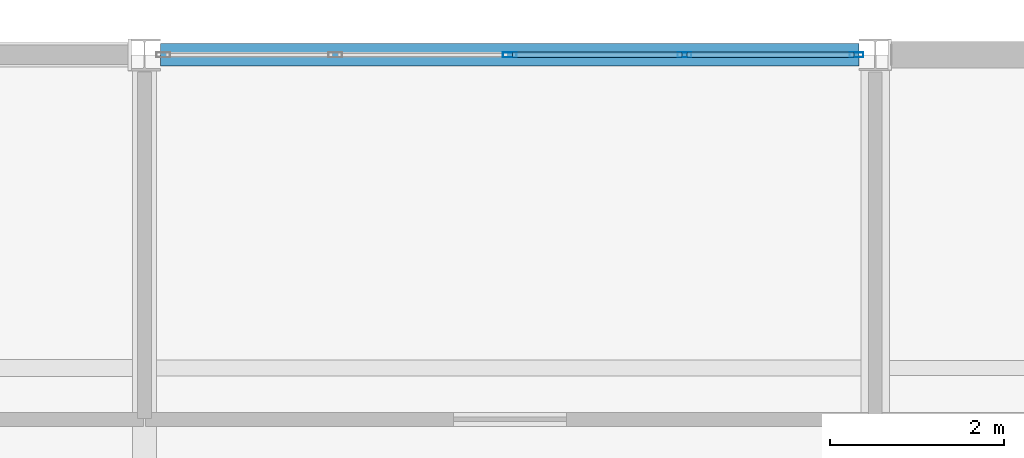
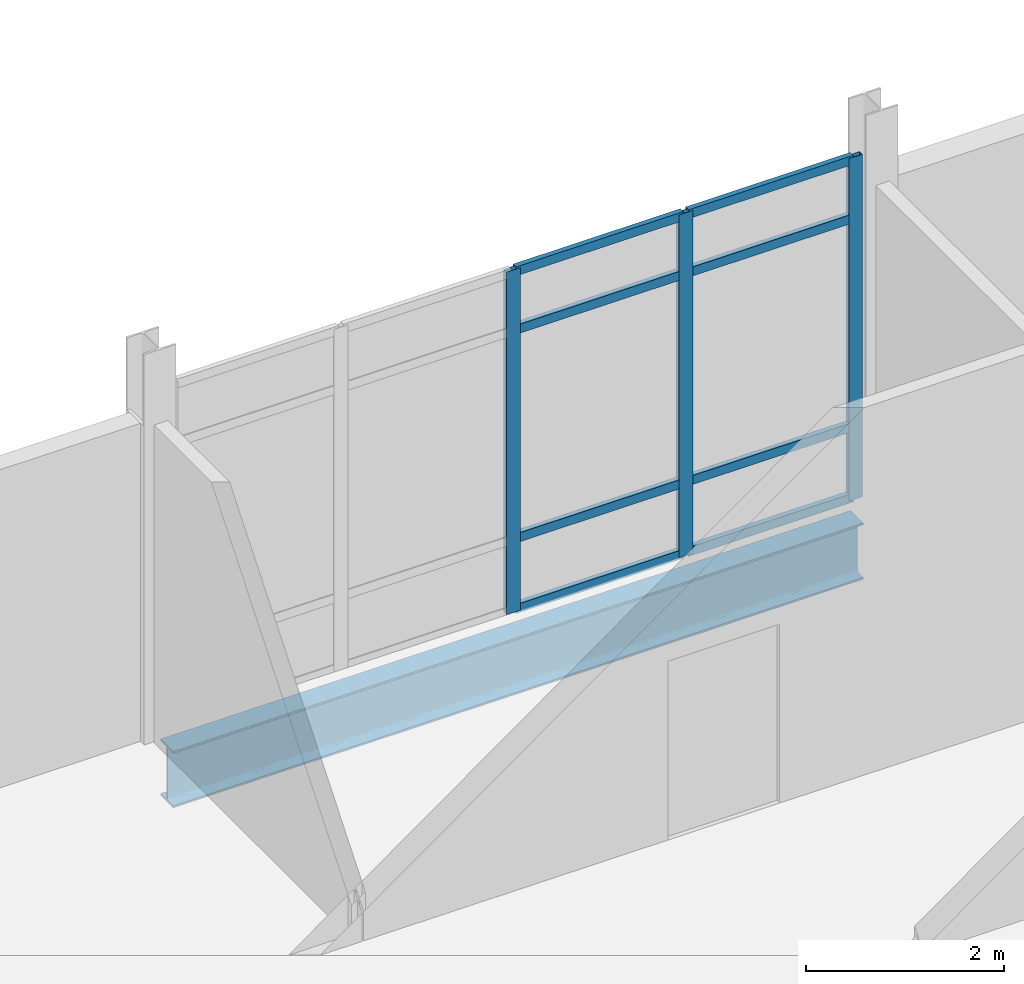
# One storey, part 87 of 186: 11 members, 1 beam, 1 element without a shape of its own.
"""IFC4 building model written with IfcOpenShell, lengths in metres."""

import ifcopenshell
import ifcopenshell.guid

model = None  # the IFC model being written
_history = None  # IfcOwnerHistory: only IFC2X3 demands one
_inside = {}  # id of a spatial element -> (the spatial element, [elements in it])
_under = {}  # id of a project, library or spatial element -> (it, [spatial elements below it])
_declared = {}  # id of a project -> (the project, [libraries it declares])
_typed = {}  # id of a type object -> (the type object, [elements of that type])
_made_of = {}  # id of a material, layer set ... -> (it, [elements and type objects made of it])


def new_model(schema):
    """Start an empty IFC model of exactly this schema.

    Asked for "IFC4X3", IfcOpenShell would pick the latest addendum, in which some entities
    have other attributes; the version numbers below select the first issue.
    IFC2X3 requires an IfcOwnerHistory on every rooted entity: one is made here for all.
    """
    global model, _history
    if schema == "IFC4X3":
        model = ifcopenshell.file(schema_version=(4, 3, 0, 0))
    else:
        model = ifcopenshell.file(schema=schema)
    _inside.clear()
    _under.clear()
    _declared.clear()
    _typed.clear()
    _made_of.clear()
    _history = None
    if model.schema == "IFC2X3":
        org = make("IfcOrganization", Name="unknown")
        user = make(
            "IfcPersonAndOrganization",
            ThePerson=make("IfcPerson", FamilyName="unknown"),
            TheOrganization=org,
        )
        app = make(
            "IfcApplication",
            ApplicationDeveloper=org,
            Version="unknown",
            ApplicationFullName="unknown",
            ApplicationIdentifier="unknown",
        )
        _history = make(
            "IfcOwnerHistory",
            OwningUser=user,
            OwningApplication=app,
            ChangeAction="ADDED",
            CreationDate=0,
        )
    return model


def make(cls, **values):
    """One entity of the class cls with the attributes given. An attribute that is None is left unset."""
    return model.create_entity(
        cls, **{name: value for name, value in values.items() if value is not None}
    )


def rooted(cls, **values):
    """An entity with a GlobalId (a new one), such as an element, a storey or a relation."""
    return make(cls, GlobalId=ifcopenshell.guid.new(), OwnerHistory=_history, **values)


def si_unit(unit_type, name, prefix=None):
    """IfcSIUnit, for example si_unit("LENGTHUNIT", "METRE", prefix="MILLI")."""
    return make("IfcSIUnit", UnitType=unit_type, Prefix=prefix, Name=name)


def assignment(units):
    """IfcUnitAssignment: the units of a project."""
    return None if units is None else make("IfcUnitAssignment", Units=units)


def point(xyz):
    """IfcCartesianPoint."""
    return None if xyz is None else make("IfcCartesianPoint", Coordinates=xyz)


def direction(xyz):
    """IfcDirection."""
    return None if xyz is None else make("IfcDirection", DirectionRatios=xyz)


def frame(location, z_axis=None, x_axis=None):
    """IfcAxis2Placement3D, a coordinate frame: its origin and axes. An axis left out is left unset."""
    return make(
        "IfcAxis2Placement3D",
        Location=point(location),
        Axis=direction(z_axis),
        RefDirection=direction(x_axis),
    )


def frame_2d(location, x_axis=None):
    """IfcAxis2Placement2D, a coordinate frame in the plane: its origin and x axis."""
    return make(
        "IfcAxis2Placement2D", Location=point(location), RefDirection=direction(x_axis)
    )


def origin():
    """The frame at (0, 0, 0) with its axes left unset."""
    return frame((0.0, 0.0, 0.0))


def origin_2d():
    """The frame at (0, 0) in the plane with its x axis left unset."""
    return frame_2d((0.0, 0.0))


def place(relative_to, where):
    """IfcLocalPlacement: puts the frame where relative to a parent placement (None: the world)."""
    return make(
        "IfcLocalPlacement", PlacementRelTo=relative_to, RelativePlacement=where
    )


def context(
    kind, dimensions, precision=None, world=None, true_north=None, identifier=None
):
    """IfcGeometricRepresentationContext, for example the 3D "Model" context."""
    return make(
        "IfcGeometricRepresentationContext",
        ContextIdentifier=identifier,
        ContextType=kind,
        CoordinateSpaceDimension=dimensions,
        Precision=precision,
        WorldCoordinateSystem=world,
        TrueNorth=true_north,
    )


def subcontext(parent, identifier, kind, view, scale=None):
    """IfcGeometricRepresentationSubContext, for example "Body" below "Model"."""
    return make(
        "IfcGeometricRepresentationSubContext",
        ContextIdentifier=identifier,
        ContextType=kind,
        ParentContext=parent,
        TargetScale=scale,
        TargetView=view,
    )


def project(units=None, contexts=None):
    """IfcProject with its units and contexts."""
    return rooted(
        "IfcProject",
        Name="project",
        RepresentationContexts=contexts,
        UnitsInContext=assignment(units),
    )


def spatial(cls, under=None, at=None, **own):
    """A site, building, storey or space (cls), placed at a placement, below another one or the project."""
    s = rooted(cls, ObjectPlacement=at, **own)
    if under is not None:
        _under.setdefault(under.id(), (under, []))[1].append(s)
    return s


def profile(cls, at=None, kind="AREA", **sizes):
    """A parametric profile (cls). Its sizes go by their IFC names, for example OverallWidth=200.0."""
    return make(cls, ProfileType=kind, Position=at, **sizes)


def hollow_rectangle(**sizes):
    """IfcRectangleHollowProfileDef."""
    return profile("IfcRectangleHollowProfileDef", **sizes)


def i_section(**sizes):
    """IfcIShapeProfileDef."""
    return profile("IfcIShapeProfileDef", **sizes)


def extrude(swept, where, along, depth):
    """IfcExtrudedAreaSolid: the profile swept, set in the frame where, extruded along a direction by depth."""
    return make(
        "IfcExtrudedAreaSolid",
        SweptArea=swept,
        Position=where,
        ExtrudedDirection=direction(along),
        Depth=depth,
    )


def shape(context_of_items, identifier, shape_type, items):
    """IfcShapeRepresentation: the items that make up one representation, for example the "Body"."""
    return make(
        "IfcShapeRepresentation",
        ContextOfItems=context_of_items,
        RepresentationIdentifier=identifier,
        RepresentationType=shape_type,
        Items=items,
    )


def material(Name=None, Category=None):
    """IfcMaterial."""
    return make("IfcMaterial", Name=Name, Category=Category)


def layer(
    of_material, thickness, ventilated=None, Name=None, Category=None, Priority=None
):
    """IfcMaterialLayer: one layer of a wall or slab, of a material (None: an air gap)."""
    return make(
        "IfcMaterialLayer",
        Material=of_material,
        LayerThickness=thickness,
        IsVentilated=ventilated,
        Name=Name,
        Category=Category,
        Priority=Priority,
    )


def layer_set(layers, Name=None):
    """IfcMaterialLayerSet."""
    return make("IfcMaterialLayerSet", MaterialLayers=layers, LayerSetName=Name)


def material_profile(
    of_material, cross_section, Name=None, Category=None, Priority=None
):
    """IfcMaterialProfile: a cross section and its material."""
    return make(
        "IfcMaterialProfile",
        Name=Name,
        Material=of_material,
        Profile=cross_section,
        Priority=Priority,
        Category=Category,
    )


def profile_set(profiles, Name=None, composite=None):
    """IfcMaterialProfileSet."""
    return make(
        "IfcMaterialProfileSet",
        Name=Name,
        MaterialProfiles=profiles,
        CompositeProfile=composite,
    )


def made_of(thing, what):
    """Note that an element or type object is made of a material, layer set ...; save() writes the relation."""
    if what is not None:
        _made_of.setdefault(what.id(), (what, []))[1].append(thing)
    return thing


def type_object(cls, material=None, **own):
    """A type object (cls), such as IfcWallType, which elements share."""
    return made_of(rooted(cls, **own), material)


def element(
    cls,
    number,
    at=None,
    inside=None,
    cuts=None,
    type_object=None,
    material=None,
    context=None,
    identifier="Body",
    shape_type=None,
    held_by="IfcProductDefinitionShape",
    body=None,
    shapes=None,
    **own,
):
    """One element of the class cls, such as IfcWall. Its Tag is "e" and its number.

    at: its placement. inside: the storey or other place that contains it. cuts: it is an
    opening in that element (IfcRelVoidsElement). A single representation is given by context,
    identifier, shape_type and body (its items); several are given by shapes. held_by: the class
    of the entity that holds the representations. save() writes the other relations.
    """
    e = rooted(cls, Tag="e%d" % number, ObjectPlacement=at, **own)
    if body is not None:
        shapes = [shape(context, identifier, shape_type, body)]
    if shapes is not None:
        e.Representation = make(held_by, Representations=shapes)
    if inside is not None:
        _inside.setdefault(inside.id(), (inside, []))[1].append(e)
    if cuts is not None:
        rooted(
            "IfcRelVoidsElement", RelatingBuildingElement=cuts, RelatedOpeningElement=e
        )
    if type_object is not None:
        _typed.setdefault(type_object.id(), (type_object, []))[1].append(e)
    return made_of(e, material)


def aggregate(whole, parts):
    """IfcRelAggregates: a whole, such as a stair, and the parts it consists of."""
    return rooted("IfcRelAggregates", RelatingObject=whole, RelatedObjects=parts)


def save(model, path):
    """Write the relations noted so far, then the file.

    IfcRelAggregates (storeys below a building ...), IfcRelContainedInSpatialStructure (elements
    in a storey), IfcRelDefinesByType, IfcRelAssociatesMaterial and IfcRelDeclares: one each for
    every whole, place, type object, material and project.
    """
    for whole, parts in _under.values():
        aggregate(whole, parts)
    for where, things in _inside.values():
        rooted(
            "IfcRelContainedInSpatialStructure",
            RelatedElements=things,
            RelatingStructure=where,
        )
    for kind, things in _typed.values():
        rooted("IfcRelDefinesByType", RelatedObjects=things, RelatingType=kind)
    for what, things in _made_of.values():
        rooted("IfcRelAssociatesMaterial", RelatedObjects=things, RelatingMaterial=what)
    for by, libraries in _declared.values():
        rooted("IfcRelDeclares", RelatingContext=by, RelatedDefinitions=libraries)
    model.write(path)


model = new_model("IFC4")

# Units and contexts
model_context = context("Model", 3, precision=1e-05, world=origin(), true_north=direction((0.0, 1.0)))
body_context = subcontext(model_context, "Body", "Model", "MODEL_VIEW")
ifc_project = project(units=[si_unit("LENGTHUNIT", "METRE"), si_unit("AREAUNIT", "SQUARE_METRE"), si_unit("VOLUMEUNIT", "CUBIC_METRE"), si_unit("PLANEANGLEUNIT", "RADIAN"), si_unit("MASSUNIT", "GRAM", prefix="KILO")], contexts=[model_context])

# Site, building, storey
site_placement = place(None, origin())
site = spatial("IfcSite", under=ifc_project, at=site_placement, CompositionType="ELEMENT")
building_placement = place(site_placement, origin())
building = spatial("IfcBuilding", under=site, at=building_placement, Name="Calvrana Isthmian Art Gallery", CompositionType="ELEMENT")
storey_placement = place(building_placement, frame((0.0, 0.0, 5.39990234375)))
storey = spatial("IfcBuildingStorey", under=building, at=storey_placement, Name="L01", CompositionType="ELEMENT", Elevation=5.39990234375)

# Beam
ifc_material_1 = material(Name="Steel ASTM A992 Gr 50", Category="steel")
ifc_material_profile_1 = material_profile(ifc_material_1, i_section(OverallWidth=0.257080078125, OverallDepth=0.693115234375, WebThickness=0.014404296875, FlangeThickness=0.023681640625, FilletRadius=0.02392578125, at=origin_2d()), Name="W27X114")
ifc_profile_set_1 = profile_set([ifc_material_profile_1], Name="Steel ASTM A992 Gr 50")
beam_type = type_object("IfcBeamType", Name="BM-G-W27X114", PredefinedType="BEAM", material=ifc_profile_set_1)
beam_placement = place(storey_placement, frame((21.785400390625, 112.800048828125, -0.59130859375), z_axis=(1.0, 0.0, 0.0), x_axis=(0.0, 1.0, 0.0)))
element("IfcBeam", 1, at=beam_placement, inside=storey, type_object=beam_type, Name="Girder X L01 04-05/P", PredefinedType="BEAM", context=body_context, shape_type="SweptSolid", body=[
    extrude(i_section(OverallWidth=0.257080078125, OverallDepth=0.693115234375, WebThickness=0.014404296875, FlangeThickness=0.023681640625, FilletRadius=0.02392578125, at=origin_2d()), origin(), (0.0, 0.0, 1.0), 8.030517578125),
])

# Curtain wall, members
ifc_material_2 = material(Name="Anodized bronze aluminium 6063-T6", Category="aluminium")
ifc_layer = layer(ifc_material_2, 0.179931640625, Name="Anodized bronze aluminium 6063-T6")
ifc_layer_set = layer_set([ifc_layer], Name="Anodized bronze aluminium 6063-T6")
curtain_wall_type = type_object("IfcCurtainWallType", Name="CW-UNIT-080X42", PredefinedType="USERDEFINED", material=ifc_layer_set)
curtain_wall_placement = place(storey_placement, origin())
curtain_wall = element("IfcCurtainWall", 2, at=curtain_wall_placement, inside=storey, type_object=curtain_wall_type, Name="Curtain wall CW-115", ObjectType="UNITISED CURTAIN WALL", PredefinedType="USERDEFINED")
ifc_material_profile_2 = material_profile(ifc_material_2, hollow_rectangle(XDim=0.06005859375, YDim=0.159912109375, WallThickness=0.00390625, at=origin_2d()), Name="CWM60X160")
ifc_profile_set_2 = profile_set([ifc_material_profile_2], Name="Anodized bronze aluminium 6063-T6")
member_type_1 = type_object("IfcMemberType", Name="CWM-CWM60X160", PredefinedType="MULLION", material=ifc_profile_set_2)
member_1_placement = place(storey_placement, frame((25.800537109375, 112.800048828125, 0.0), z_axis=(0.0, 0.0, 1.0), x_axis=(0.0, 1.0, 0.0)))
member_1 = element("IfcMember", 3, at=member_1_placement, type_object=member_type_1, Name="CW-115 mullion 3", PredefinedType="MULLION", context=body_context, shape_type="SweptSolid", body=[
    extrude(hollow_rectangle(XDim=0.06005859375, YDim=0.159912109375, WallThickness=0.00390625, at=origin_2d()), origin(), (0.0, 0.0, 1.0), 4.21533203125),
])
member_2_placement = place(storey_placement, frame((27.8076171875, 112.800048828125, 0.0), z_axis=(0.0, 0.0, 1.0), x_axis=(0.0, 1.0, 0.0)))
member_2 = element("IfcMember", 4, at=member_2_placement, type_object=member_type_1, Name="CW-115 mullion 4", PredefinedType="MULLION", context=body_context, shape_type="SweptSolid", body=[
    extrude(hollow_rectangle(XDim=0.06005859375, YDim=0.159912109375, WallThickness=0.00390625, at=origin_2d()), origin(), (0.0, 0.0, 1.0), 4.21533203125),
])
member_3_placement = place(storey_placement, frame((29.784423828125, 112.800048828125, 0.0), z_axis=(0.0, 0.0, 1.0), x_axis=(0.0, 1.0, 0.0)))
member_3 = element("IfcMember", 5, at=member_3_placement, type_object=member_type_1, Name="CW-115 mullion 5", PredefinedType="MULLION", context=body_context, shape_type="SweptSolid", body=[
    extrude(hollow_rectangle(XDim=0.06005859375, YDim=0.159912109375, WallThickness=0.00390625, at=origin_2d()), origin(), (0.0, 0.0, 1.0), 4.21533203125),
])
ifc_material_profile_3 = material_profile(ifc_material_2, hollow_rectangle(XDim=0.06005859375, YDim=0.110107421875, WallThickness=0.00341796875, at=origin_2d()), Name="CWT60X110")
ifc_profile_set_3 = profile_set([ifc_material_profile_3], Name="Anodized bronze aluminium 6063-T6")
member_type_2 = type_object("IfcMemberType", Name="CWT-CWT60X110", PredefinedType="USERDEFINED", material=ifc_profile_set_3)
member_4_placement = place(storey_placement, frame((25.83056640625, 112.800048828125, 0.030029296875), z_axis=(1.0, 0.0, 0.0), x_axis=(0.0, 1.0, 0.0)))
member_4 = element("IfcMember", 6, at=member_4_placement, type_object=member_type_2, Name="CW-115 transom 3.1", ObjectType="TRANSOM", PredefinedType="USERDEFINED", context=body_context, shape_type="SweptSolid", body=[
    extrude(hollow_rectangle(XDim=0.06005859375, YDim=0.110107421875, WallThickness=0.00341796875, at=origin_2d()), origin(), (0.0, 0.0, 1.0), 1.947021484375),
])
member_5_placement = place(storey_placement, frame((25.83056640625, 112.800048828125, 0.900146484375), z_axis=(1.0, 0.0, 0.0), x_axis=(0.0, 1.0, 0.0)))
member_5 = element("IfcMember", 7, at=member_5_placement, type_object=member_type_2, Name="CW-115 transom 3.2", ObjectType="TRANSOM", PredefinedType="USERDEFINED", context=body_context, shape_type="SweptSolid", body=[
    extrude(hollow_rectangle(XDim=0.06005859375, YDim=0.110107421875, WallThickness=0.00341796875, at=origin_2d()), origin(), (0.0, 0.0, 1.0), 1.947021484375),
])
member_6_placement = place(storey_placement, frame((25.83056640625, 112.800048828125, 3.46533203125), z_axis=(1.0, 0.0, 0.0), x_axis=(0.0, 1.0, 0.0)))
member_6 = element("IfcMember", 8, at=member_6_placement, type_object=member_type_2, Name="CW-115 transom 3.3", ObjectType="TRANSOM", PredefinedType="USERDEFINED", context=body_context, shape_type="SweptSolid", body=[
    extrude(hollow_rectangle(XDim=0.06005859375, YDim=0.110107421875, WallThickness=0.00341796875, at=origin_2d()), origin(), (0.0, 0.0, 1.0), 1.947021484375),
])
member_7_placement = place(storey_placement, frame((25.83056640625, 112.800048828125, 4.185302734375), z_axis=(1.0, 0.0, 0.0), x_axis=(0.0, 1.0, 0.0)))
member_7 = element("IfcMember", 9, at=member_7_placement, type_object=member_type_2, Name="CW-115 transom 3.4", ObjectType="TRANSOM", PredefinedType="USERDEFINED", context=body_context, shape_type="SweptSolid", body=[
    extrude(hollow_rectangle(XDim=0.06005859375, YDim=0.110107421875, WallThickness=0.00341796875, at=origin_2d()), origin(), (0.0, 0.0, 1.0), 1.947021484375),
])
member_8_placement = place(storey_placement, frame((27.83740234375, 112.800048828125, 0.030029296875), z_axis=(1.0, 0.0, 0.0), x_axis=(0.0, 1.0, 0.0)))
member_8 = element("IfcMember", 10, at=member_8_placement, type_object=member_type_2, Name="CW-115 transom 4.1", ObjectType="TRANSOM", PredefinedType="USERDEFINED", context=body_context, shape_type="SweptSolid", body=[
    extrude(hollow_rectangle(XDim=0.06005859375, YDim=0.110107421875, WallThickness=0.00341796875, at=origin_2d()), origin(), (0.0, 0.0, 1.0), 1.9169921875),
])
member_9_placement = place(storey_placement, frame((27.83740234375, 112.800048828125, 0.900146484375), z_axis=(1.0, 0.0, 0.0), x_axis=(0.0, 1.0, 0.0)))
member_9 = element("IfcMember", 11, at=member_9_placement, type_object=member_type_2, Name="CW-115 transom 4.2", ObjectType="TRANSOM", PredefinedType="USERDEFINED", context=body_context, shape_type="SweptSolid", body=[
    extrude(hollow_rectangle(XDim=0.06005859375, YDim=0.110107421875, WallThickness=0.00341796875, at=origin_2d()), origin(), (0.0, 0.0, 1.0), 1.9169921875),
])
member_10_placement = place(storey_placement, frame((27.83740234375, 112.800048828125, 3.46533203125), z_axis=(1.0, 0.0, 0.0), x_axis=(0.0, 1.0, 0.0)))
member_10 = element("IfcMember", 12, at=member_10_placement, type_object=member_type_2, Name="CW-115 transom 4.3", ObjectType="TRANSOM", PredefinedType="USERDEFINED", context=body_context, shape_type="SweptSolid", body=[
    extrude(hollow_rectangle(XDim=0.06005859375, YDim=0.110107421875, WallThickness=0.00341796875, at=origin_2d()), origin(), (0.0, 0.0, 1.0), 1.9169921875),
])
member_11_placement = place(storey_placement, frame((27.83740234375, 112.800048828125, 4.185302734375), z_axis=(1.0, 0.0, 0.0), x_axis=(0.0, 1.0, 0.0)))
member_11 = element("IfcMember", 13, at=member_11_placement, type_object=member_type_2, Name="CW-115 transom 4.4", ObjectType="TRANSOM", PredefinedType="USERDEFINED", context=body_context, shape_type="SweptSolid", body=[
    extrude(hollow_rectangle(XDim=0.06005859375, YDim=0.110107421875, WallThickness=0.00341796875, at=origin_2d()), origin(), (0.0, 0.0, 1.0), 1.9169921875),
])
aggregate(curtain_wall, [member_1, member_2, member_3, member_4, member_5, member_6, member_7, member_8, member_9, member_10, member_11])

save(model, "model.ifc")
